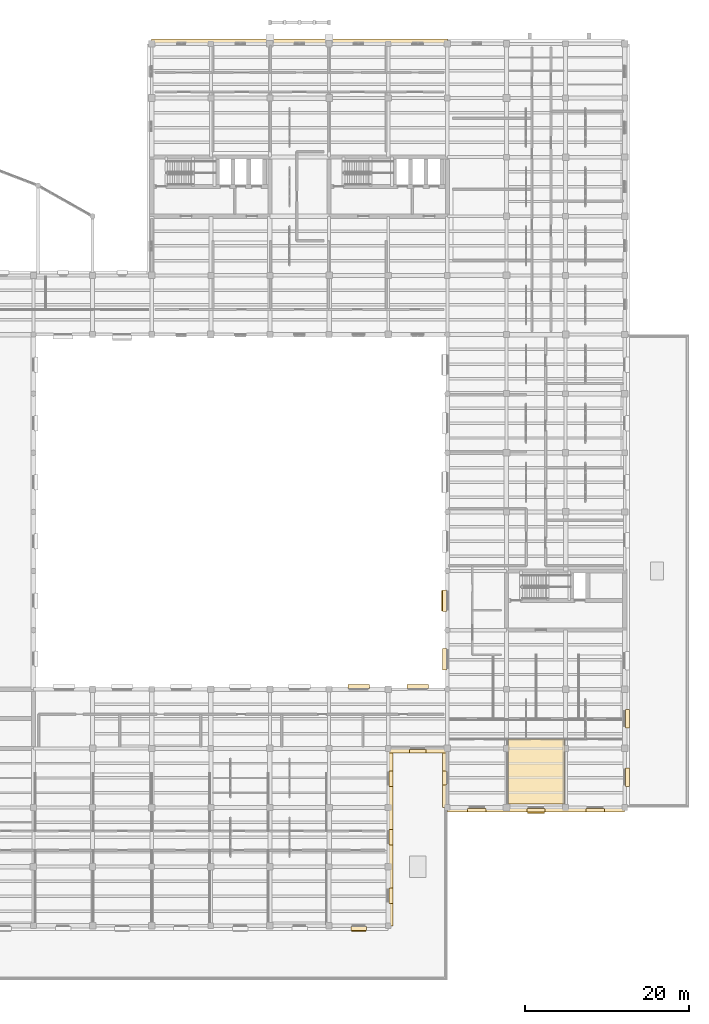
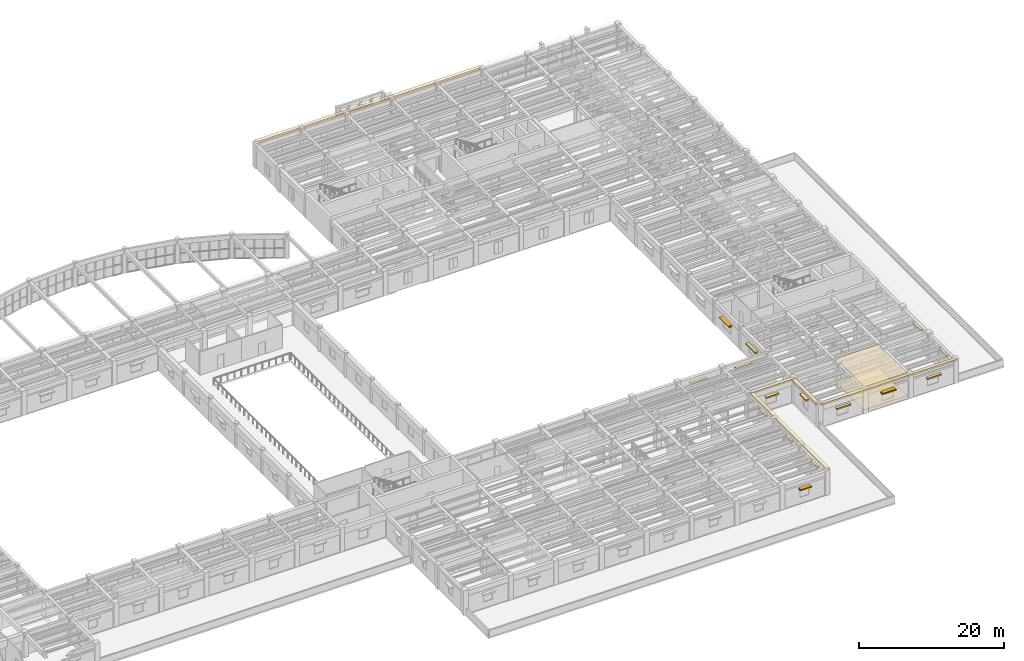
# One storey, part 72 of 76: 22 coverings, 3 shading devices.
"""IFC4 building model written with IfcOpenShell, lengths in metres."""

from ifc_helpers import new_model, si_unit, direction, frame, origin, origin_2d, place, context, subcontext, project, spatial, polyline, rectangle, outline, extrude, material, layer, layer_set, type_object, element, save


model = new_model("IFC4")

# Units and contexts
model_context = context("Model", 3, precision=1e-05, world=origin(), true_north=direction((0.0, 1.0)))
body_context = subcontext(model_context, "Body", "Model", "MODEL_VIEW")
ifc_project = project(units=[si_unit("LENGTHUNIT", "METRE"), si_unit("AREAUNIT", "SQUARE_METRE"), si_unit("VOLUMEUNIT", "CUBIC_METRE"), si_unit("PLANEANGLEUNIT", "RADIAN"), si_unit("MASSUNIT", "GRAM", prefix="KILO")], contexts=[model_context])

# Site, building, storey
site_placement = place(None, origin())
site = spatial("IfcSite", under=ifc_project, at=site_placement, CompositionType="ELEMENT")
building_placement = place(site_placement, origin())
building = spatial("IfcBuilding", under=site, at=building_placement, Name="Mithqara Police Headquarters", CompositionType="ELEMENT")
storey_placement = place(building_placement, frame((0.0, 0.0, 5.39990234375)))
storey = spatial("IfcBuildingStorey", under=building, at=storey_placement, Name="L01", CompositionType="ELEMENT", Elevation=5.39990234375)

# Coverings
ifc_material_1 = material(Name="Acoustic mineral-fibre ceiling tile", Category="gypsum")
ifc_layer_1 = layer(ifc_material_1, 0.02490234375, Name="Acoustic mineral-fibre ceiling tile")
ifc_layer_set_1 = layer_set([ifc_layer_1], Name="Acoustic mineral-fibre ceiling tile")
covering_type_1 = type_object("IfcCoveringType", Name="ACOUSTIC CEILING TILE", PredefinedType="CEILING", material=ifc_layer_set_1)
covering_1_placement = place(storey_placement, frame((0.0, 0.0, 3.89501953125)))
element("IfcCovering", 1, at=covering_1_placement, inside=storey, type_object=covering_type_1, Name="Latent Prints Laboratory Acoustic Ceiling", PredefinedType="CEILING", context=body_context, shape_type="SweptSolid", body=[
    extrude(outline(polyline([(151.9599609375, 21.43994140625), (158.840087890625, 21.43994140625), (158.840087890625, 29.320068359375), (151.9599609375, 29.320068359375), (151.9599609375, 21.43994140625)])), origin(), (0.0, 0.0, 1.0), 0.025146484375),
])
ifc_material_2 = material(Name="Limestone ashlar masonry, 45 MPa", Category="masonry")
ifc_layer_2 = layer(ifc_material_2, 0.320068359375, Name="Limestone ashlar masonry, 45 MPa")
ifc_layer_set_2 = layer_set([ifc_layer_2], Name="Limestone ashlar masonry, 45 MPa")
covering_type_2 = type_object("IfcCoveringType", Name="CORNICE LIMESTONE", PredefinedType="CLADDING", material=ifc_layer_set_2)
covering_2_placement = place(storey_placement, frame((137.679931640625, 17.39990234375, 3.919921875), z_axis=(0.0, 0.0, 1.0), x_axis=(0.0, 1.0, 0.0)))
element("IfcCovering", 2, at=covering_2_placement, inside=storey, type_object=covering_type_2, Name="L01 Projecting Ottoman Limestone Eaves Cornice 3", PredefinedType="CLADDING", context=body_context, shape_type="SweptSolid", body=[
    extrude(rectangle(XDim=21.60009765625, YDim=0.56005859375, at=origin_2d()), origin(), (0.0, 0.0, 1.0), 0.280029296875),
])
for number, where, z_axis, x_axis, name in (
    (3, (141.0, 27.919921875, 3.919921875), (0.0, 0.0, 1.0), (1.0, 0.0, 0.0), "L01 Projecting Ottoman Limestone Eaves Cornice 4"),
    (4, (144.320068359375, 24.60009765625, 3.919921875), (0.0, 0.0, 1.0), (0.0, 1.0, 0.0), "L01 Projecting Ottoman Limestone Eaves Cornice 5"),
):
    element("IfcCovering", number, at=place(storey_placement, frame(where, z_axis=z_axis, x_axis=x_axis)), inside=storey, type_object=covering_type_2, Name=name, PredefinedType="CLADDING", context=body_context, shape_type="SweptSolid", body=[
        extrude(rectangle(XDim=7.199951171875, YDim=0.56005859375, at=origin_2d()), origin(), (0.0, 0.0, 1.0), 0.280029296875),
    ])
covering_3_placement = place(storey_placement, frame((155.39990234375, 20.719970703125, 3.919921875), z_axis=(0.0, 0.0, 1.0), x_axis=(1.0, 0.0, 0.0)))
element("IfcCovering", 5, at=covering_3_placement, inside=storey, type_object=covering_type_2, Name="L01 Projecting Ottoman Limestone Eaves Cornice 6", PredefinedType="CLADDING", context=body_context, shape_type="SweptSolid", body=[
    extrude(rectangle(XDim=21.60009765625, YDim=0.56005859375, at=origin_2d()), origin(), (0.0, 0.0, 1.0), 0.280029296875),
])
covering_4_placement = place(storey_placement, frame((126.60009765625, 114.280029296875, 3.919921875), z_axis=(0.0, 0.0, 1.0), x_axis=(1.0, 0.0, 0.0)))
element("IfcCovering", 6, at=covering_4_placement, inside=storey, type_object=covering_type_2, Name="L01 Projecting Ottoman Limestone Eaves Cornice 10", PredefinedType="CLADDING", context=body_context, shape_type="SweptSolid", body=[
    extrude(rectangle(XDim=36.0, YDim=0.56005859375, at=origin_2d()), origin(), (0.0, 0.0, 1.0), 0.280029296875),
])

# Shading devices
ifc_material_3 = material(Name="Bronze anodised aluminium 6063-T6", Category="aluminium")
shading_device_type = type_object("IfcShadingDeviceType", Name="SOLAR LOUVRE BRONZE", PredefinedType="JALOUSIE", material=ifc_material_3)
shading_device_1_placement = place(storey_placement, frame((133.800048828125, 6.199951171875, 2.590087890625), z_axis=(0.0, 0.0, 1.0), x_axis=(1.0, 0.0, 0.0)))
element("IfcShadingDevice", 7, at=shading_device_1_placement, inside=storey, type_object=shading_device_type, Name="L01 Window Solar Louvre Hood 2.8", PredefinedType="JALOUSIE", context=body_context, shape_type="SweptSolid", body=[
    extrude(rectangle(XDim=1.75, YDim=0.60009765625, at=origin_2d()), origin(), (0.0, 0.0, 1.0), 0.10009765625),
])
shading_device_2_placement = place(storey_placement, frame((155.39990234375, 20.60009765625, 2.590087890625), z_axis=(0.0, 0.0, 1.0), x_axis=(1.0, 0.0, 0.0)))
element("IfcShadingDevice", 8, at=shading_device_2_placement, inside=storey, type_object=shading_device_type, Name="L01 Window Solar Louvre Hood 6.2", PredefinedType="JALOUSIE", context=body_context, shape_type="SweptSolid", body=[
    extrude(rectangle(XDim=2.10009765625, YDim=0.60009765625, at=origin_2d()), origin(), (0.0, 0.0, 1.0), 0.10009765625),
])
shading_device_3_placement = place(storey_placement, frame((144.199951171875, 46.199951171875, 2.590087890625), z_axis=(0.0, 0.0, 1.0), x_axis=(0.0, 1.0, 0.0)))
element("IfcShadingDevice", 9, at=shading_device_3_placement, inside=storey, type_object=shading_device_type, Name="L01 Window Solar Louvre Hood 4.2", PredefinedType="JALOUSIE", context=body_context, shape_type="SweptSolid", body=[
    extrude(rectangle(XDim=2.5, YDim=0.60009765625, at=origin_2d()), origin(), (0.0, 0.0, 1.0), 0.10009765625),
])

# Coverings
ifc_material_4 = material(Name="Polished limestone terrazzo flooring", Category="masonry")
ifc_layer_3 = layer(ifc_material_4, 0.02001953125, Name="Polished limestone terrazzo flooring")
ifc_layer_set_3 = layer_set([ifc_layer_3], Name="Polished limestone terrazzo flooring")
covering_type_3 = type_object("IfcCoveringType", Name="TERRAZZO FLOOR FINISH", PredefinedType="FLOORING", material=ifc_layer_set_3)
covering_5_placement = place(storey_placement, origin())
element("IfcCovering", 10, at=covering_5_placement, inside=storey, type_object=covering_type_3, Name="Latent Prints Laboratory Terrazzo Floor Finish", PredefinedType="FLOORING", context=body_context, shape_type="SweptSolid", body=[
    extrude(outline(polyline([(151.9599609375, 21.43994140625), (158.840087890625, 21.43994140625), (158.840087890625, 29.320068359375), (151.9599609375, 29.320068359375), (151.9599609375, 21.43994140625)])), origin(), (0.0, 0.0, 1.0), 0.02001953125),
])
ifc_layer_4 = layer(ifc_material_2, 0.239990234375, Name="Limestone ashlar masonry, 45 MPa")
ifc_layer_set_4 = layer_set([ifc_layer_4], Name="Limestone ashlar masonry, 45 MPa")
covering_type_4 = type_object("IfcCoveringType", Name="WINDOW HOOD LIMESTONE", PredefinedType="CLADDING", material=ifc_layer_set_4)
for number, where, z_axis, x_axis, name in (
    (11, (133.800048828125, 6.260009765625, 2.3701171875), (0.0, 0.0, 1.0), (1.0, 0.0, 0.0), "L01 Limestone Window Architrave Hood 2.8"),
    (12, (137.739990234375, 10.27490234375, 2.6201171875), (0.0, 0.0, 1.0), (0.0, 1.0, 0.0), "L01 Limestone Window Architrave Hood 3.1"),
    (13, (137.739990234375, 17.39990234375, 2.6201171875), (0.0, 0.0, 1.0), (0.0, 1.0, 0.0), "L01 Limestone Window Architrave Hood 3.2"),
    (14, (137.739990234375, 24.52490234375, 2.6201171875), (0.0, 0.0, 1.0), (0.0, 1.0, 0.0), "L01 Limestone Window Architrave Hood 3.3"),
):
    element("IfcCovering", number, at=place(storey_placement, frame(where, z_axis=z_axis, x_axis=x_axis)), inside=storey, type_object=covering_type_4, Name=name, PredefinedType="CLADDING", context=body_context, shape_type="SweptSolid", body=[
        extrude(rectangle(XDim=1.889892578125, YDim=0.4599609375, at=origin_2d()), origin(), (0.0, 0.0, 1.0), 0.219970703125),
    ])
covering_6_placement = place(storey_placement, frame((141.0, 27.860107421875, 2.3701171875), z_axis=(0.0, 0.0, 1.0), x_axis=(1.0, 0.0, 0.0)))
element("IfcCovering", 15, at=covering_6_placement, inside=storey, type_object=covering_type_4, Name="L01 Limestone Window Architrave Hood 4.1", PredefinedType="CLADDING", context=body_context, shape_type="SweptSolid", body=[
    extrude(rectangle(XDim=2.0400390625, YDim=0.4599609375, at=origin_2d()), origin(), (0.0, 0.0, 1.0), 0.219970703125),
])
covering_7_placement = place(storey_placement, frame((144.260009765625, 24.60009765625, 2.8701171875), z_axis=(0.0, 0.0, 1.0), x_axis=(0.0, 1.0, 0.0)))
element("IfcCovering", 16, at=covering_7_placement, inside=storey, type_object=covering_type_4, Name="L01 Limestone Window Architrave Hood 5.1", PredefinedType="CLADDING", context=body_context, shape_type="SweptSolid", body=[
    extrude(rectangle(XDim=1.739990234375, YDim=0.4599609375, at=origin_2d()), origin(), (0.0, 0.0, 1.0), 0.219970703125),
])
for number, where, z_axis, x_axis, name in (
    (17, (148.199951171875, 20.659912109375, 2.3701171875), (0.0, 0.0, 1.0), (1.0, 0.0, 0.0), "L01 Limestone Window Architrave Hood 6.1"),
    (18, (155.39990234375, 20.659912109375, 2.3701171875), (0.0, 0.0, 1.0), (1.0, 0.0, 0.0), "L01 Limestone Window Architrave Hood 6.2"),
    (19, (162.60009765625, 20.659912109375, 2.3701171875), (0.0, 0.0, 1.0), (1.0, 0.0, 0.0), "L01 Limestone Window Architrave Hood 6.3"),
    (20, (166.5400390625, 24.675048828125, 2.6201171875), (0.0, 0.0, 1.0), (0.0, 1.0, 0.0), "L01 Limestone Window Architrave Hood 7.1"),
    (21, (166.5400390625, 31.800048828125, 2.6201171875), (0.0, 0.0, 1.0), (0.0, 1.0, 0.0), "L01 Limestone Window Architrave Hood 7.2"),
):
    element("IfcCovering", number, at=place(storey_placement, frame(where, z_axis=z_axis, x_axis=x_axis)), inside=storey, type_object=covering_type_4, Name=name, PredefinedType="CLADDING", context=body_context, shape_type="SweptSolid", body=[
        extrude(rectangle(XDim=2.239990234375, YDim=0.4599609375, at=origin_2d()), origin(), (0.0, 0.0, 1.0), 0.219970703125),
    ])
for number, where, z_axis, x_axis, name in (
    (22, (144.260009765625, 39.074951171875, 2.3701171875), (0.0, 0.0, 1.0), (0.0, 1.0, 0.0), "L01 Limestone Window Architrave Hood 4.1"),
    (23, (144.260009765625, 46.199951171875, 2.3701171875), (0.0, 0.0, 1.0), (0.0, 1.0, 0.0), "L01 Limestone Window Architrave Hood 4.2"),
    (24, (133.800048828125, 35.739990234375, 2.6201171875), (0.0, 0.0, 1.0), (1.0, 0.0, 0.0), "L01 Limestone Window Architrave Hood 5.6"),
    (25, (141.0, 35.739990234375, 2.6201171875), (0.0, 0.0, 1.0), (1.0, 0.0, 0.0), "L01 Limestone Window Architrave Hood 5.7"),
):
    element("IfcCovering", number, at=place(storey_placement, frame(where, z_axis=z_axis, x_axis=x_axis)), inside=storey, type_object=covering_type_4, Name=name, PredefinedType="CLADDING", context=body_context, shape_type="SweptSolid", body=[
        extrude(rectangle(XDim=2.639892578125, YDim=0.4599609375, at=origin_2d()), origin(), (0.0, 0.0, 1.0), 0.219970703125),
    ])

save(model, "model.ifc")
